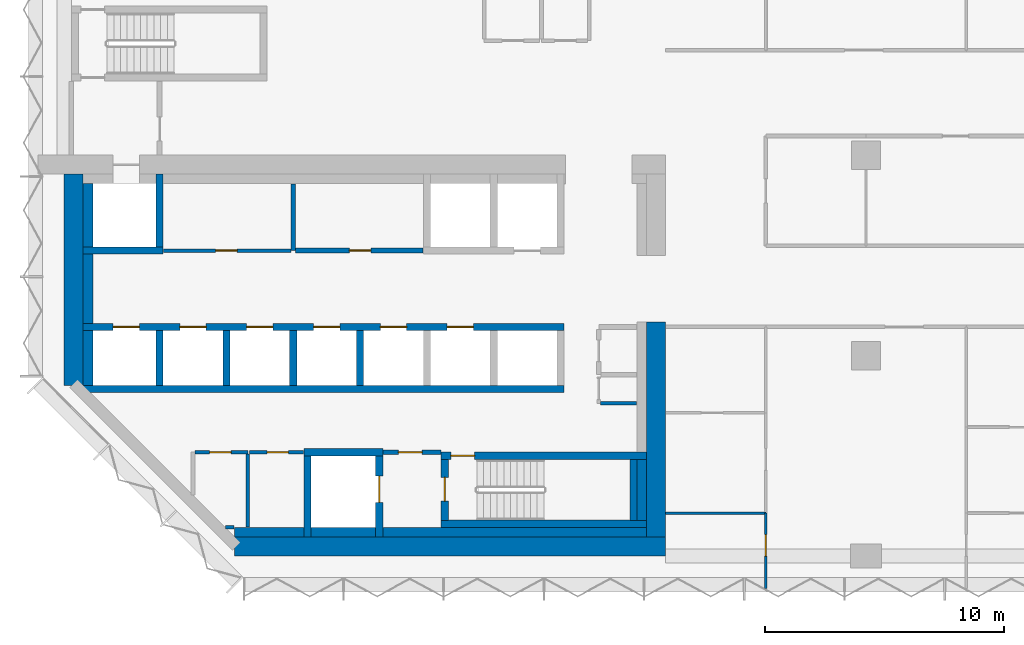
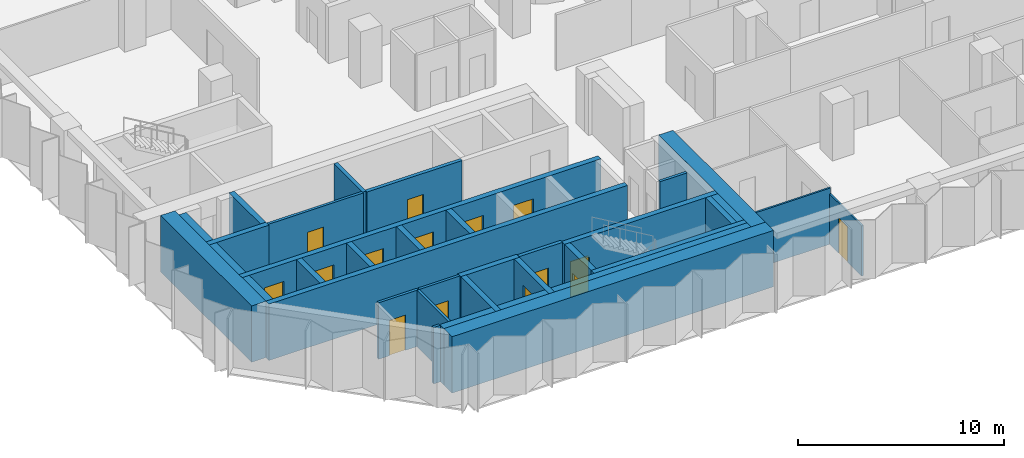
# One storey, part 7 of 13: 36 walls, 15 doors, 15 openings.
"""IFC4 building model written with IfcOpenShell, lengths in metres."""

from ifc_helpers import new_model, si_unit, direction, frame, frame_2d, origin, place, context, subcontext, project, spatial, rectangle, extrude, material, layer, layer_set, type_object, element, fill, save


model = new_model("IFC4")

# Units and contexts
model_context = context("Model", 3, precision=1e-05, world=origin(), true_north=direction((0.0, 1.0)))
body_context = subcontext(model_context, "Body", "Model", "MODEL_VIEW")
ifc_project = project(units=[si_unit("LENGTHUNIT", "METRE"), si_unit("AREAUNIT", "SQUARE_METRE"), si_unit("VOLUMEUNIT", "CUBIC_METRE"), si_unit("PLANEANGLEUNIT", "RADIAN"), si_unit("MASSUNIT", "GRAM", prefix="KILO")], contexts=[model_context])

# Site, building, storey
site_placement = place(None, origin())
site = spatial("IfcSite", under=ifc_project, at=site_placement, CompositionType="ELEMENT")
building_placement = place(site_placement, origin())
building = spatial("IfcBuilding", under=site, at=building_placement, Name="Brevane Broadcast Tower", CompositionType="ELEMENT")
storey_placement = place(building_placement, frame((0.0, 0.0, 102.5)))
storey = spatial("IfcBuildingStorey", under=building, at=storey_placement, Name="L24", CompositionType="ELEMENT", Elevation=102.5)

# Walls
ifc_material_1 = material(Name="Concrete C32/40", Category="concrete")
ifc_layer_1 = layer(ifc_material_1, 0.39990234375)
ifc_layer_set_1 = layer_set([ifc_layer_1], Name="Core chase wall 400 mm")
wall_type_1 = type_object("IfcWallType", Name="Core chase wall 400 mm", PredefinedType="PARTITIONING", material=ifc_layer_set_1)
wall_1_placement = place(storey_placement, frame((1.0, 7.14990234375, 0.0), z_axis=(0.0, 0.0, 1.0), x_axis=(0.0, 1.0, 0.0)))
element("IfcWall", 1, at=wall_1_placement, inside=storey, type_object=wall_type_1, Name="L24 chase wall LW-2-1", PredefinedType="PARTITIONING", context=body_context, shape_type="SweptSolid", body=[
    extrude(rectangle(XDim=2.300048828125, YDim=0.39990234375, at=frame_2d((1.14990234375, 0.0))), origin(), (0.0, 0.0, 1.0), 3.35009765625),
])
wall_2_placement = place(storey_placement, frame((1.0, 9.75, 0.0), z_axis=(0.0, 0.0, 1.0), x_axis=(0.0, 1.0, 0.0)))
element("IfcWall", 2, at=wall_2_placement, inside=storey, type_object=wall_type_1, Name="L24 chase wall LW-2-2-1", PredefinedType="PARTITIONING", context=body_context, shape_type="SweptSolid", body=[
    extrude(rectangle(XDim=2.89990234375, YDim=0.39990234375, at=frame_2d((1.449951171875, 0.0))), origin(), (0.0, 0.0, 1.0), 3.35009765625),
])
wall_3_placement = place(storey_placement, frame((1.0, 12.949951171875, 0.0), z_axis=(0.0, 0.0, 1.0), x_axis=(0.0, 1.0, 0.0)))
element("IfcWall", 3, at=wall_3_placement, inside=storey, type_object=wall_type_1, Name="L24 chase wall LW-2-2-2", PredefinedType="PARTITIONING", context=body_context, shape_type="SweptSolid", body=[
    extrude(rectangle(XDim=2.650146484375, YDim=0.39990234375, at=frame_2d((1.3251953125, 0.0))), origin(), (0.0, 0.0, 1.0), 3.35009765625),
])
wall_4_placement = place(storey_placement, frame((7.136474609375, 1.0, 0.0), z_axis=(0.0, 0.0, 1.0), x_axis=(1.0, 0.0, 0.0)))
element("IfcWall", 4, at=wall_4_placement, inside=storey, type_object=wall_type_1, Name="L24 chase wall LS-1", PredefinedType="PARTITIONING", context=body_context, shape_type="SweptSolid", body=[
    extrude(rectangle(XDim=2.91357421875, YDim=0.39990234375, at=frame_2d((1.456787109375, 0.0))), origin(), (0.0, 0.0, 1.0), 3.35009765625),
])
wall_5_placement = place(storey_placement, frame((10.35009765625, 1.0, 0.0), z_axis=(0.0, 0.0, 1.0), x_axis=(1.0, 0.0, 0.0)))
element("IfcWall", 5, at=wall_5_placement, inside=storey, type_object=wall_type_1, Name="L24 chase wall LS-2-1", PredefinedType="PARTITIONING", context=body_context, shape_type="SweptSolid", body=[
    extrude(rectangle(XDim=2.699951171875, YDim=0.39990234375, at=frame_2d((1.35009765625, 0.0))), origin(), (0.0, 0.0, 1.0), 3.35009765625),
])
wall_6_placement = place(storey_placement, frame((13.35009765625, 1.0, 0.0), z_axis=(0.0, 0.0, 1.0), x_axis=(1.0, 0.0, 0.0)))
element("IfcWall", 6, at=wall_6_placement, inside=storey, type_object=wall_type_1, Name="L24 chase wall LS-2-2", PredefinedType="PARTITIONING", context=body_context, shape_type="SweptSolid", body=[
    extrude(rectangle(XDim=11.0498046875, YDim=0.39990234375, at=frame_2d((5.52490234375, 0.0))), origin(), (0.0, 0.0, 1.0), 3.35009765625),
])
wall_7_placement = place(storey_placement, frame((24.199951171875, 1.5, 0.0), z_axis=(0.0, 0.0, 1.0), x_axis=(0.0, 1.0, 0.0)))
element("IfcWall", 7, at=wall_7_placement, inside=storey, type_object=wall_type_1, Name="L24 chase wall LE1-2-1", PredefinedType="PARTITIONING", context=body_context, shape_type="SweptSolid", body=[
    extrude(rectangle(XDim=2.550048828125, YDim=0.39990234375, at=frame_2d((1.27490234375, 0.0))), origin(), (0.0, 0.0, 1.0), 3.35009765625),
])

# Wall, opening, door
ifc_material_2 = material(Name="Gypsum board on steel studs", Category="steel")
ifc_layer_2 = layer(ifc_material_2, 0.14990234375)
ifc_layer_set_2 = layer_set([ifc_layer_2], Name="Core fire partition 150 mm")
wall_type_2 = type_object("IfcWallType", Name="Core fire partition 150 mm", PredefinedType="PARTITIONING", material=ifc_layer_set_2)
wall_8_placement = place(storey_placement, frame((4.162109375, 12.800048828125, 0.0), z_axis=(0.0, 0.0, 1.0), x_axis=(1.0, 0.0, 0.0)))
wall_8 = element("IfcWall", 8, at=wall_8_placement, inside=storey, type_object=wall_type_2, Name="L24 partition wall P09", PredefinedType="PARTITIONING", context=body_context, shape_type="SweptSolid", body=[
    extrude(rectangle(XDim=5.337890625, YDim=0.14990234375, at=frame_2d((2.6689453125, 0.0))), origin(), (0.0, 0.0, 1.0), 3.35009765625),
])
opening_1_placement = place(wall_8_placement, frame((2.18798828125, 0.0, 0.0)))
opening_1 = element("IfcOpeningElement", 9, at=opening_1_placement, cuts=wall_8, Name="Opening L24-K21", PredefinedType="OPENING", context=body_context, shape_type="SweptSolid", body=[
    extrude(rectangle(XDim=0.89990234375, YDim=2.10009765625, at=frame_2d((0.449951171875, 1.050048828125))), frame((0.0, 0.0849609375, 0.0), z_axis=(0.0, -1.0, 0.0), x_axis=(1.0, 0.0, 0.0)), (0.0, 0.0, 1.0), 0.169921875),
])
ifc_material_3 = material(Name="Steel", Category="steel")
door_type_1 = type_object("IfcDoorType", Name="Service room door 900 x 2100", OperationType="SINGLE_SWING_LEFT", PredefinedType="DOOR", material=ifc_material_3)
door_1_placement = place(opening_1_placement, origin())
door_1 = element("IfcDoor", 10, at=door_1_placement, inside=storey, type_object=door_type_1, Name="Door L24-K21", OperationType="SINGLE_SWING_LEFT", OverallHeight=2.10009765625, OverallWidth=0.89990234375, PredefinedType="DOOR", context=body_context, shape_type="SweptSolid", body=[
    extrude(rectangle(XDim=0.89990234375, YDim=2.10009765625, at=frame_2d((0.449951171875, 1.050048828125))), frame((0.0, 0.02490234375, 0.0), z_axis=(0.0, -1.0, 0.0), x_axis=(1.0, 0.0, 0.0)), (0.0, 0.0, 1.0), 0.050048828125),
])
fill(opening_1, door_1)

wall_9_placement = place(storey_placement, frame((5.47509765625, 4.35009765625, 0.0), z_axis=(0.0, 0.0, 1.0), x_axis=(1.0, 0.0, 0.0)))
wall_9 = element("IfcWall", 11, at=wall_9_placement, inside=storey, type_object=wall_type_2, Name="L24 partition wall P11", PredefinedType="PARTITIONING", context=body_context, shape_type="SweptSolid", body=[
    extrude(rectangle(XDim=2.224853515625, YDim=0.14990234375, at=frame_2d((1.1123046875, 0.0))), origin(), (0.0, 0.0, 1.0), 3.35009765625),
])
opening_2_placement = place(wall_9_placement, frame((0.625, 0.0, 0.0)))
opening_2 = element("IfcOpeningElement", 12, at=opening_2_placement, cuts=wall_9, Name="Opening L24-K16", PredefinedType="OPENING", context=body_context, shape_type="SweptSolid", body=[
    extrude(rectangle(XDim=0.89990234375, YDim=2.10009765625, at=frame_2d((0.449951171875, 1.050048828125))), frame((0.0, 0.0849609375, 0.0), z_axis=(0.0, -1.0, 0.0), x_axis=(1.0, 0.0, 0.0)), (0.0, 0.0, 1.0), 0.169921875),
])
ifc_material_4 = material(Name="Timber", Category="wood")
door_type_2 = type_object("IfcDoorType", Name="Toilet door 900 x 2100", OperationType="SINGLE_SWING_LEFT", PredefinedType="DOOR", material=ifc_material_4)
door_2_placement = place(opening_2_placement, origin())
door_2 = element("IfcDoor", 13, at=door_2_placement, inside=storey, type_object=door_type_2, Name="Door L24-K16", OperationType="SINGLE_SWING_RIGHT", OverallHeight=2.10009765625, OverallWidth=0.89990234375, PredefinedType="DOOR", context=body_context, shape_type="SweptSolid", body=[
    extrude(rectangle(XDim=0.89990234375, YDim=2.10009765625, at=frame_2d((0.449951171875, 1.050048828125))), frame((0.0, 0.02490234375, 0.0), z_axis=(0.0, -1.0, 0.0), x_axis=(1.0, 0.0, 0.0)), (0.0, 0.0, 1.0), 0.050048828125),
])
fill(opening_2, door_2)

# Walls
wall_10_placement = place(storey_placement, frame((7.699951171875, 4.27490234375, 0.0), z_axis=(0.0, 0.0, 1.0), x_axis=(0.0, -1.0, 0.0)))
element("IfcWall", 14, at=wall_10_placement, inside=storey, type_object=wall_type_2, Name="L24 partition wall P12", PredefinedType="PARTITIONING", context=body_context, shape_type="SweptSolid", body=[
    extrude(rectangle(XDim=3.06298828125, YDim=0.14990234375, at=frame_2d((1.531494140625, 0.0))), origin(), (0.0, 0.0, 1.0), 3.35009765625),
])
wall_11_placement = place(storey_placement, frame((7.12451171875, 1.199951171875, 0.0), z_axis=(0.0, 0.0, 1.0), x_axis=(-1.0, 0.0, 0.0)))
element("IfcWall", 15, at=wall_11_placement, inside=storey, type_object=wall_type_2, Name="L24 partition wall P13", PredefinedType="PARTITIONING", context=body_context, shape_type="SweptSolid", body=[
    extrude(rectangle(XDim=0.37109375, YDim=0.14990234375, at=frame_2d((0.185546875, 0.0))), origin(), (0.0, 0.0, 1.0), 3.35009765625),
])

# Wall, opening, door
wall_12_placement = place(storey_placement, frame((10.0380859375, 4.35009765625, 0.0), z_axis=(0.0, 0.0, 1.0), x_axis=(-1.0, 0.0, 0.0)))
wall_12 = element("IfcWall", 16, at=wall_12_placement, inside=storey, type_object=wall_type_2, Name="L24 partition wall P14", PredefinedType="PARTITIONING", context=body_context, shape_type="SweptSolid", body=[
    extrude(rectangle(XDim=2.26318359375, YDim=0.14990234375, at=frame_2d((1.131591796875, 0.0))), origin(), (0.0, 0.0, 1.0), 3.35009765625),
])
opening_3_placement = place(wall_12_placement, frame((0.637939453125, 0.0, 0.0)))
opening_3 = element("IfcOpeningElement", 17, at=opening_3_placement, cuts=wall_12, Name="Opening L24-K17", PredefinedType="OPENING", context=body_context, shape_type="SweptSolid", body=[
    extrude(rectangle(XDim=0.89990234375, YDim=2.10009765625, at=frame_2d((0.449951171875, 1.050048828125))), frame((0.0, 0.0849609375, 0.0), z_axis=(0.0, -1.0, 0.0), x_axis=(1.0, 0.0, 0.0)), (0.0, 0.0, 1.0), 0.169921875),
])
door_3_placement = place(opening_3_placement, origin())
door_3 = element("IfcDoor", 18, at=door_3_placement, inside=storey, type_object=door_type_2, Name="Door L24-K17", OperationType="SINGLE_SWING_LEFT", OverallHeight=2.10009765625, OverallWidth=0.89990234375, PredefinedType="DOOR", context=body_context, shape_type="SweptSolid", body=[
    extrude(rectangle(XDim=0.89990234375, YDim=2.10009765625, at=frame_2d((0.449951171875, 1.050048828125))), frame((0.0, 0.02490234375, 0.0), z_axis=(0.0, -1.0, 0.0), x_axis=(1.0, 0.0, 0.0)), (0.0, 0.0, 1.0), 0.050048828125),
])
fill(opening_3, door_3)

# Wall
wall_13_placement = place(storey_placement, frame((22.47509765625, 6.39990234375, 0.0), z_axis=(0.0, 0.0, 1.0), x_axis=(1.0, 0.0, 0.0)))
element("IfcWall", 19, at=wall_13_placement, inside=storey, type_object=wall_type_2, Name="L24 partition wall P23", PredefinedType="PARTITIONING", context=body_context, shape_type="SweptSolid", body=[
    extrude(rectangle(XDim=1.512939453125, YDim=0.14990234375, at=frame_2d((0.75634765625, 0.0))), origin(), (0.0, 0.0, 1.0), 3.35009765625),
])

# Wall, opening, door
ifc_layer_3 = layer(ifc_material_2, 0.199951171875)
ifc_layer_set_3 = layer_set([ifc_layer_3], Name="Core fire partition 200 mm")
wall_type_3 = type_object("IfcWallType", Name="Core fire partition 200 mm", PredefinedType="PARTITIONING", material=ifc_layer_set_3)
wall_14_placement = place(storey_placement, frame((13.362060546875, 4.35009765625, 0.0), z_axis=(0.0, 0.0, 1.0), x_axis=(1.0, 0.0, 0.0)))
wall_14 = element("IfcWall", 20, at=wall_14_placement, inside=storey, type_object=wall_type_3, Name="L24 partition wall P03", PredefinedType="PARTITIONING", context=body_context, shape_type="SweptSolid", body=[
    extrude(rectangle(XDim=2.426025390625, YDim=0.199951171875, at=frame_2d((1.212890625, 0.0))), origin(), (0.0, 0.0, 1.0), 3.35009765625),
])
opening_4_placement = place(wall_14_placement, frame((0.637939453125, 0.0, 0.0)))
opening_4 = element("IfcOpeningElement", 21, at=opening_4_placement, cuts=wall_14, Name="Opening L24-K18", PredefinedType="OPENING", context=body_context, shape_type="SweptSolid", body=[
    extrude(rectangle(XDim=1.0, YDim=2.10009765625, at=frame_2d((0.5, 1.050048828125))), frame((0.0, 0.10986328125, 0.0), z_axis=(0.0, -1.0, 0.0), x_axis=(1.0, 0.0, 0.0)), (0.0, 0.0, 1.0), 0.219970703125),
])
door_type_3 = type_object("IfcDoorType", Name="Stair door 1000 x 2100", OperationType="SINGLE_SWING_LEFT", PredefinedType="DOOR", material=ifc_material_3)
door_4_placement = place(opening_4_placement, origin())
door_4 = element("IfcDoor", 22, at=door_4_placement, inside=storey, type_object=door_type_3, Name="Door L24-K18", OperationType="SINGLE_SWING_RIGHT", OverallHeight=2.10009765625, OverallWidth=1.0, PredefinedType="DOOR", context=body_context, shape_type="SweptSolid", body=[
    extrude(rectangle(XDim=1.0, YDim=2.10009765625, at=frame_2d((0.5, 1.050048828125))), frame((0.0, 0.02490234375, 0.0), z_axis=(0.0, -1.0, 0.0), x_axis=(1.0, 0.0, 0.0)), (0.0, 0.0, 1.0), 0.050048828125),
])
fill(opening_4, door_4)

# Wall
wall_15_placement = place(storey_placement, frame((9.60009765625, 15.587890625, 0.0), z_axis=(0.0, 0.0, 1.0), x_axis=(0.0, -1.0, 0.0)))
element("IfcWall", 23, at=wall_15_placement, inside=storey, type_object=wall_type_3, Name="L24 partition wall P04", PredefinedType="PARTITIONING", context=body_context, shape_type="SweptSolid", body=[
    extrude(rectangle(XDim=2.787841796875, YDim=0.199951171875, at=frame_2d((1.39404296875, 0.0))), origin(), (0.0, 0.0, 1.0), 3.35009765625),
])

# Wall, opening, door
wall_16_placement = place(storey_placement, frame((9.699951171875, 12.800048828125, 0.0), z_axis=(0.0, 0.0, 1.0), x_axis=(1.0, 0.0, 0.0)))
wall_16 = element("IfcWall", 24, at=wall_16_placement, inside=storey, type_object=wall_type_3, Name="L24 partition wall P05", PredefinedType="PARTITIONING", context=body_context, shape_type="SweptSolid", body=[
    extrude(rectangle(XDim=5.338134765625, YDim=0.199951171875, at=frame_2d((2.6689453125, 0.0))), origin(), (0.0, 0.0, 1.0), 3.35009765625),
])
opening_5_placement = place(wall_16_placement, frame((2.25, 0.0, 0.0)))
opening_5 = element("IfcOpeningElement", 25, at=opening_5_placement, cuts=wall_16, Name="Opening L24-K22", PredefinedType="OPENING", context=body_context, shape_type="SweptSolid", body=[
    extrude(rectangle(XDim=0.89990234375, YDim=2.10009765625, at=frame_2d((0.449951171875, 1.050048828125))), frame((0.0, 0.10986328125, 0.0), z_axis=(0.0, -1.0, 0.0), x_axis=(1.0, 0.0, 0.0)), (0.0, 0.0, 1.0), 0.219970703125),
])
door_5_placement = place(opening_5_placement, origin())
door_5 = element("IfcDoor", 26, at=door_5_placement, inside=storey, type_object=door_type_1, Name="Door L24-K22", OperationType="SINGLE_SWING_RIGHT", OverallHeight=2.10009765625, OverallWidth=0.89990234375, PredefinedType="DOOR", context=body_context, shape_type="SweptSolid", body=[
    extrude(rectangle(XDim=0.89990234375, YDim=2.10009765625, at=frame_2d((0.449951171875, 1.050048828125))), frame((0.0, 0.02490234375, 0.0), z_axis=(0.0, -1.0, 0.0), x_axis=(1.0, 0.0, 0.0)), (0.0, 0.0, 1.0), 0.050048828125),
])
fill(opening_5, door_5)

# Wall
ifc_material_5 = material(Name="Concrete C60/75", Category="concrete")
ifc_layer_4 = layer(ifc_material_5, 0.300048828125)
ifc_layer_set_4 = layer_set([ifc_layer_4], Name="Core wall 300 mm C60/75")
wall_type_4 = type_object("IfcWallType", Name="Core wall 300 mm C60/75", PredefinedType="SHEAR", material=ifc_layer_set_4)
wall_17_placement = place(storey_placement, frame((0.800048828125, 7.0, 0.0), z_axis=(0.0, 0.0, 1.0), x_axis=(1.0, 0.0, 0.0)))
element("IfcWall", 27, at=wall_17_placement, inside=storey, type_object=wall_type_4, Name="L24 shaft wall SH-S012-back", PredefinedType="SHEAR", context=body_context, shape_type="SweptSolid", body=[
    extrude(rectangle(XDim=20.14990234375, YDim=0.300048828125, at=frame_2d((10.074951171875, 0.0))), origin(), (0.0, 0.0, 1.0), 3.35009765625),
])

# Wall, openings, doors
wall_18_placement = place(storey_placement, frame((0.800048828125, 9.60009765625, 0.0), z_axis=(0.0, 0.0, 1.0), x_axis=(1.0, 0.0, 0.0)))
wall_18 = element("IfcWall", 28, at=wall_18_placement, inside=storey, type_object=wall_type_4, Name="L24 shaft wall SH-S012-front", PredefinedType="SHEAR", context=body_context, shape_type="SweptSolid", body=[
    extrude(rectangle(XDim=20.14990234375, YDim=0.300048828125, at=frame_2d((10.074951171875, 0.0))), origin(), (0.0, 0.0, 1.0), 3.35009765625),
])
opening_6_placement = place(wall_18_placement, frame((1.25, 0.0, 0.0)))
opening_6 = element("IfcOpeningElement", 29, at=opening_6_placement, cuts=wall_18, Name="Opening LD", PredefinedType="OPENING", context=body_context, shape_type="SweptSolid", body=[
    extrude(rectangle(XDim=1.10009765625, YDim=2.300048828125, at=frame_2d((0.550048828125, 1.14990234375))), frame((0.0, 0.159912109375, 0.0), z_axis=(0.0, -1.0, 0.0), x_axis=(1.0, 0.0, 0.0)), (0.0, 0.0, 1.0), 0.320068359375),
])
opening_7_placement = place(wall_18_placement, frame((4.050048828125, 0.0, 0.0)))
opening_7 = element("IfcOpeningElement", 30, at=opening_7_placement, cuts=wall_18, Name="Opening LD", PredefinedType="OPENING", context=body_context, shape_type="SweptSolid", body=[
    extrude(rectangle(XDim=1.10009765625, YDim=2.300048828125, at=frame_2d((0.550048828125, 1.14990234375))), frame((0.0, 0.159912109375, 0.0), z_axis=(0.0, -1.0, 0.0), x_axis=(1.0, 0.0, 0.0)), (0.0, 0.0, 1.0), 0.320068359375),
])
opening_8_placement = place(wall_18_placement, frame((6.85009765625, 0.0, 0.0)))
opening_8 = element("IfcOpeningElement", 31, at=opening_8_placement, cuts=wall_18, Name="Opening LD", PredefinedType="OPENING", context=body_context, shape_type="SweptSolid", body=[
    extrude(rectangle(XDim=1.10009765625, YDim=2.300048828125, at=frame_2d((0.550048828125, 1.14990234375))), frame((0.0, 0.159912109375, 0.0), z_axis=(0.0, -1.0, 0.0), x_axis=(1.0, 0.0, 0.0)), (0.0, 0.0, 1.0), 0.320068359375),
])
opening_9_placement = place(wall_18_placement, frame((9.64990234375, 0.0, 0.0)))
opening_9 = element("IfcOpeningElement", 32, at=opening_9_placement, cuts=wall_18, Name="Opening LD", PredefinedType="OPENING", context=body_context, shape_type="SweptSolid", body=[
    extrude(rectangle(XDim=1.10009765625, YDim=2.300048828125, at=frame_2d((0.550048828125, 1.14990234375))), frame((0.0, 0.159912109375, 0.0), z_axis=(0.0, -1.0, 0.0), x_axis=(1.0, 0.0, 0.0)), (0.0, 0.0, 1.0), 0.320068359375),
])
opening_10_placement = place(wall_18_placement, frame((12.449951171875, 0.0, 0.0)))
opening_10 = element("IfcOpeningElement", 33, at=opening_10_placement, cuts=wall_18, Name="Opening LD", PredefinedType="OPENING", context=body_context, shape_type="SweptSolid", body=[
    extrude(rectangle(XDim=1.10009765625, YDim=2.300048828125, at=frame_2d((0.550048828125, 1.14990234375))), frame((0.0, 0.159912109375, 0.0), z_axis=(0.0, -1.0, 0.0), x_axis=(1.0, 0.0, 0.0)), (0.0, 0.0, 1.0), 0.320068359375),
])
opening_11_placement = place(wall_18_placement, frame((15.25, 0.0, 0.0)))
opening_11 = element("IfcOpeningElement", 34, at=opening_11_placement, cuts=wall_18, Name="Opening LD", PredefinedType="OPENING", context=body_context, shape_type="SweptSolid", body=[
    extrude(rectangle(XDim=1.10009765625, YDim=2.300048828125, at=frame_2d((0.550048828125, 1.14990234375))), frame((0.0, 0.159912109375, 0.0), z_axis=(0.0, -1.0, 0.0), x_axis=(1.0, 0.0, 0.0)), (0.0, 0.0, 1.0), 0.320068359375),
])
ifc_material_6 = material(Name="Stainless steel", Category="steel")
door_type_4 = type_object("IfcDoorType", Name="Lift landing door", OperationType="SLIDING_TO_LEFT", PredefinedType="DOOR", material=ifc_material_6)
door_6_placement = place(opening_6_placement, origin())
door_6 = element("IfcDoor", 35, at=door_6_placement, inside=storey, type_object=door_type_4, Name="Landing door LR1 L24", OperationType="SLIDING_TO_LEFT", OverallHeight=2.300048828125, OverallWidth=1.10009765625, PredefinedType="DOOR", context=body_context, shape_type="SweptSolid", body=[
    extrude(rectangle(XDim=1.10009765625, YDim=2.300048828125, at=frame_2d((0.550048828125, 1.14990234375))), frame((0.0, 0.02490234375, 0.0), z_axis=(0.0, -1.0, 0.0), x_axis=(1.0, 0.0, 0.0)), (0.0, 0.0, 1.0), 0.050048828125),
])
fill(opening_6, door_6)
door_7_placement = place(opening_7_placement, origin())
door_7 = element("IfcDoor", 36, at=door_7_placement, inside=storey, type_object=door_type_4, Name="Landing door LR2 L24", OperationType="SLIDING_TO_LEFT", OverallHeight=2.300048828125, OverallWidth=1.10009765625, PredefinedType="DOOR", context=body_context, shape_type="SweptSolid", body=[
    extrude(rectangle(XDim=1.10009765625, YDim=2.300048828125, at=frame_2d((0.550048828125, 1.14990234375))), frame((0.0, 0.02490234375, 0.0), z_axis=(0.0, -1.0, 0.0), x_axis=(1.0, 0.0, 0.0)), (0.0, 0.0, 1.0), 0.050048828125),
])
fill(opening_7, door_7)
door_8_placement = place(opening_8_placement, origin())
door_8 = element("IfcDoor", 37, at=door_8_placement, inside=storey, type_object=door_type_4, Name="Landing door LR3 L24", OperationType="SLIDING_TO_LEFT", OverallHeight=2.300048828125, OverallWidth=1.10009765625, PredefinedType="DOOR", context=body_context, shape_type="SweptSolid", body=[
    extrude(rectangle(XDim=1.10009765625, YDim=2.300048828125, at=frame_2d((0.550048828125, 1.14990234375))), frame((0.0, 0.02490234375, 0.0), z_axis=(0.0, -1.0, 0.0), x_axis=(1.0, 0.0, 0.0)), (0.0, 0.0, 1.0), 0.050048828125),
])
fill(opening_8, door_8)
door_9_placement = place(opening_9_placement, origin())
door_9 = element("IfcDoor", 38, at=door_9_placement, inside=storey, type_object=door_type_4, Name="Landing door LR4 L24", OperationType="SLIDING_TO_LEFT", OverallHeight=2.300048828125, OverallWidth=1.10009765625, PredefinedType="DOOR", context=body_context, shape_type="SweptSolid", body=[
    extrude(rectangle(XDim=1.10009765625, YDim=2.300048828125, at=frame_2d((0.550048828125, 1.14990234375))), frame((0.0, 0.02490234375, 0.0), z_axis=(0.0, -1.0, 0.0), x_axis=(1.0, 0.0, 0.0)), (0.0, 0.0, 1.0), 0.050048828125),
])
fill(opening_9, door_9)
door_10_placement = place(opening_10_placement, origin())
door_10 = element("IfcDoor", 39, at=door_10_placement, inside=storey, type_object=door_type_4, Name="Landing door LR5 L24", OperationType="SLIDING_TO_LEFT", OverallHeight=2.300048828125, OverallWidth=1.10009765625, PredefinedType="DOOR", context=body_context, shape_type="SweptSolid", body=[
    extrude(rectangle(XDim=1.10009765625, YDim=2.300048828125, at=frame_2d((0.550048828125, 1.14990234375))), frame((0.0, 0.02490234375, 0.0), z_axis=(0.0, -1.0, 0.0), x_axis=(1.0, 0.0, 0.0)), (0.0, 0.0, 1.0), 0.050048828125),
])
fill(opening_10, door_10)
door_11_placement = place(opening_11_placement, origin())
door_11 = element("IfcDoor", 40, at=door_11_placement, inside=storey, type_object=door_type_4, Name="Landing door LR6 L24", OperationType="SLIDING_TO_LEFT", OverallHeight=2.300048828125, OverallWidth=1.10009765625, PredefinedType="DOOR", context=body_context, shape_type="SweptSolid", body=[
    extrude(rectangle(XDim=1.10009765625, YDim=2.300048828125, at=frame_2d((0.550048828125, 1.14990234375))), frame((0.0, 0.02490234375, 0.0), z_axis=(0.0, -1.0, 0.0), x_axis=(1.0, 0.0, 0.0)), (0.0, 0.0, 1.0), 0.050048828125),
])
fill(opening_11, door_11)

# Walls
for number, where, z_axis, x_axis, name in (
    (41, (4.0, 7.14990234375, 0.0), (0.0, 0.0, 1.0), (0.0, 1.0, 0.0), "L24 shaft wall SH-S-P040"),
    (42, (6.800048828125, 7.14990234375, 0.0), (0.0, 0.0, 1.0), (0.0, 1.0, 0.0), "L24 shaft wall SH-S-P068"),
    (43, (9.60009765625, 7.14990234375, 0.0), (0.0, 0.0, 1.0), (0.0, 1.0, 0.0), "L24 shaft wall SH-S-P096"),
    (44, (12.39990234375, 7.14990234375, 0.0), (0.0, 0.0, 1.0), (0.0, 1.0, 0.0), "L24 shaft wall SH-S-P124"),
):
    element("IfcWall", number, at=place(storey_placement, frame(where, z_axis=z_axis, x_axis=x_axis)), inside=storey, type_object=wall_type_4, Name=name, PredefinedType="SHEAR", context=body_context, shape_type="SweptSolid", body=[
        extrude(rectangle(XDim=2.300048828125, YDim=0.300048828125, at=frame_2d((1.14990234375, 0.0))), origin(), (0.0, 0.0, 1.0), 3.35009765625),
    ])
wall_19_placement = place(storey_placement, frame((0.800048828125, 12.800048828125, 0.0), z_axis=(0.0, 0.0, 1.0), x_axis=(1.0, 0.0, 0.0)))
element("IfcWall", 45, at=wall_19_placement, inside=storey, type_object=wall_type_4, Name="L24 shaft wall SH-N012-front", PredefinedType="SHEAR", context=body_context, shape_type="SweptSolid", body=[
    extrude(rectangle(XDim=3.349853515625, YDim=0.300048828125, at=frame_2d((1.6748046875, 0.0))), origin(), (0.0, 0.0, 1.0), 3.35009765625),
])
wall_20_placement = place(storey_placement, frame((4.0, 12.949951171875, 0.0), z_axis=(0.0, 0.0, 1.0), x_axis=(0.0, 1.0, 0.0)))
element("IfcWall", 46, at=wall_20_placement, inside=storey, type_object=wall_type_4, Name="L24 shaft wall SH-N-P040", PredefinedType="SHEAR", context=body_context, shape_type="SweptSolid", body=[
    extrude(rectangle(XDim=3.050048828125, YDim=0.300048828125, at=frame_2d((1.52490234375, 0.0))), origin(), (0.0, 0.0, 1.0), 3.35009765625),
])
wall_21_placement = place(storey_placement, frame((10.199951171875, 0.800048828125, 0.0), z_axis=(0.0, 0.0, 1.0), x_axis=(0.0, 1.0, 0.0)))
element("IfcWall", 47, at=wall_21_placement, inside=storey, type_object=wall_type_4, Name="L24 shaft wall FF2-W", PredefinedType="SHEAR", context=body_context, shape_type="SweptSolid", body=[
    extrude(rectangle(XDim=3.39990234375, YDim=0.300048828125, at=frame_2d((1.699951171875, 0.0))), origin(), (0.0, 0.0, 1.0), 3.35009765625),
])

# Wall, opening, door
wall_22_placement = place(storey_placement, frame((13.199951171875, 0.800048828125, 0.0), z_axis=(0.0, 0.0, 1.0), x_axis=(0.0, 1.0, 0.0)))
wall_22 = element("IfcWall", 48, at=wall_22_placement, inside=storey, type_object=wall_type_4, Name="L24 shaft wall FF2-E", PredefinedType="SHEAR", context=body_context, shape_type="SweptSolid", body=[
    extrude(rectangle(XDim=3.39990234375, YDim=0.300048828125, at=frame_2d((1.699951171875, 0.0))), origin(), (0.0, 0.0, 1.0), 3.35009765625),
])
opening_12_placement = place(wall_22_placement, frame((1.449951171875, 0.0, 0.0)))
opening_12 = element("IfcOpeningElement", 49, at=opening_12_placement, cuts=wall_22, Name="Opening LD", PredefinedType="OPENING", context=body_context, shape_type="SweptSolid", body=[
    extrude(rectangle(XDim=1.10009765625, YDim=2.300048828125, at=frame_2d((0.550048828125, 1.14990234375))), frame((0.0, 0.159912109375, 0.0), z_axis=(0.0, -1.0, 0.0), x_axis=(1.0, 0.0, 0.0)), (0.0, 0.0, 1.0), 0.320068359375),
])
door_12_placement = place(opening_12_placement, origin())
door_12 = element("IfcDoor", 50, at=door_12_placement, inside=storey, type_object=door_type_4, Name="Landing door FF2 L24", OperationType="SLIDING_TO_LEFT", OverallHeight=2.300048828125, OverallWidth=1.10009765625, PredefinedType="DOOR", context=body_context, shape_type="SweptSolid", body=[
    extrude(rectangle(XDim=1.10009765625, YDim=2.300048828125, at=frame_2d((0.550048828125, 1.14990234375))), frame((0.0, 0.02490234375, 0.0), z_axis=(0.0, -1.0, 0.0), x_axis=(1.0, 0.0, 0.0)), (0.0, 0.0, 1.0), 0.050048828125),
])
fill(opening_12, door_12)

# Walls
wall_23_placement = place(storey_placement, frame((10.050048828125, 4.35009765625, 0.0), z_axis=(0.0, 0.0, 1.0), x_axis=(1.0, 0.0, 0.0)))
element("IfcWall", 51, at=wall_23_placement, inside=storey, type_object=wall_type_4, Name="L24 shaft wall FF2-N", PredefinedType="SHEAR", context=body_context, shape_type="SweptSolid", body=[
    extrude(rectangle(XDim=3.300048828125, YDim=0.300048828125, at=frame_2d((1.64990234375, 0.0))), origin(), (0.0, 0.0, 1.0), 3.35009765625),
])
wall_24_placement = place(storey_placement, frame((15.800048828125, 1.35009765625, 0.0), z_axis=(0.0, 0.0, 1.0), x_axis=(1.0, 0.0, 0.0)))
element("IfcWall", 52, at=wall_24_placement, inside=storey, type_object=wall_type_4, Name="L24 stair wall ST-2-S", PredefinedType="SHEAR", context=body_context, shape_type="SweptSolid", body=[
    extrude(rectangle(XDim=8.599853515625, YDim=0.300048828125, at=frame_2d((4.2998046875, 0.0))), origin(), (0.0, 0.0, 1.0), 3.35009765625),
])

# Wall, opening, door
wall_25_placement = place(storey_placement, frame((15.800048828125, 4.199951171875, 0.0), z_axis=(0.0, 0.0, 1.0), x_axis=(1.0, 0.0, 0.0)))
wall_25 = element("IfcWall", 53, at=wall_25_placement, inside=storey, type_object=wall_type_4, Name="L24 stair wall ST-2-N", PredefinedType="SHEAR", context=body_context, shape_type="SweptSolid", body=[
    extrude(rectangle(XDim=8.599853515625, YDim=0.300048828125, at=frame_2d((4.2998046875, 0.0))), origin(), (0.0, 0.0, 1.0), 3.35009765625),
])
opening_13_placement = place(wall_25_placement, frame((0.39990234375, 0.0, 0.0)))
opening_13 = element("IfcOpeningElement", 54, at=opening_13_placement, cuts=wall_25, Name="Opening L24-K13", PredefinedType="OPENING", context=body_context, shape_type="SweptSolid", body=[
    extrude(rectangle(XDim=1.0, YDim=2.10009765625, at=frame_2d((0.5, 1.050048828125))), frame((0.0, 0.159912109375, 0.0), z_axis=(0.0, -1.0, 0.0), x_axis=(1.0, 0.0, 0.0)), (0.0, 0.0, 1.0), 0.320068359375),
])
door_13_placement = place(opening_13_placement, origin())
door_13 = element("IfcDoor", 55, at=door_13_placement, inside=storey, type_object=door_type_3, Name="Door L24-K13", OperationType="SINGLE_SWING_LEFT", OverallHeight=2.10009765625, OverallWidth=1.0, PredefinedType="DOOR", context=body_context, shape_type="SweptSolid", body=[
    extrude(rectangle(XDim=1.0, YDim=2.10009765625, at=frame_2d((0.5, 1.050048828125))), frame((0.0, 0.02490234375, 0.0), z_axis=(0.0, -1.0, 0.0), x_axis=(1.0, 0.0, 0.0)), (0.0, 0.0, 1.0), 0.050048828125),
])
fill(opening_13, door_13)

wall_26_placement = place(storey_placement, frame((15.949951171875, 1.5, 0.0), z_axis=(0.0, 0.0, 1.0), x_axis=(0.0, 1.0, 0.0)))
wall_26 = element("IfcWall", 56, at=wall_26_placement, inside=storey, type_object=wall_type_4, Name="L24 stair wall ST-2-W", PredefinedType="SHEAR", context=body_context, shape_type="SweptSolid", body=[
    extrude(rectangle(XDim=2.550048828125, YDim=0.300048828125, at=frame_2d((1.27490234375, 0.0))), origin(), (0.0, 0.0, 1.0), 3.35009765625),
])
opening_14_placement = place(wall_26_placement, frame((0.800048828125, 0.0, 0.0)))
opening_14 = element("IfcOpeningElement", 57, at=opening_14_placement, cuts=wall_26, Name="Opening L24-K12", PredefinedType="OPENING", context=body_context, shape_type="SweptSolid", body=[
    extrude(rectangle(XDim=1.0, YDim=2.10009765625, at=frame_2d((0.5, 1.050048828125))), frame((0.0, 0.159912109375, 0.0), z_axis=(0.0, -1.0, 0.0), x_axis=(1.0, 0.0, 0.0)), (0.0, 0.0, 1.0), 0.320068359375),
])
door_14_placement = place(opening_14_placement, origin())
door_14 = element("IfcDoor", 58, at=door_14_placement, inside=storey, type_object=door_type_3, Name="Door L24-K12", OperationType="SINGLE_SWING_RIGHT", OverallHeight=2.10009765625, OverallWidth=1.0, PredefinedType="DOOR", context=body_context, shape_type="SweptSolid", body=[
    extrude(rectangle(XDim=1.0, YDim=2.10009765625, at=frame_2d((0.5, 1.050048828125))), frame((0.0, 0.02490234375, 0.0), z_axis=(0.0, -1.0, 0.0), x_axis=(1.0, 0.0, 0.0)), (0.0, 0.0, 1.0), 0.050048828125),
])
fill(opening_14, door_14)

# Walls
wall_27_placement = place(storey_placement, frame((23.85009765625, 1.5, 0.0), z_axis=(0.0, 0.0, 1.0), x_axis=(0.0, 1.0, 0.0)))
element("IfcWall", 59, at=wall_27_placement, inside=storey, type_object=wall_type_4, Name="L24 stair wall ST-2-E", PredefinedType="SHEAR", context=body_context, shape_type="SweptSolid", body=[
    extrude(rectangle(XDim=2.550048828125, YDim=0.300048828125, at=frame_2d((1.27490234375, 0.0))), origin(), (0.0, 0.0, 1.0), 3.35009765625),
])
ifc_layer_5 = layer(ifc_material_5, 0.800048828125)
ifc_layer_set_5 = layer_set([ifc_layer_5], Name="Core wall 800 mm C60/75")
wall_type_5 = type_object("IfcWallType", Name="Core wall 800 mm C60/75", PredefinedType="SHEAR", material=ifc_layer_set_5)
wall_28_placement = place(storey_placement, frame((7.136474609375, 0.39990234375, 0.0), z_axis=(0.0, 0.0, 1.0), x_axis=(1.0, 0.0, 0.0)))
element("IfcWall", 60, at=wall_28_placement, inside=storey, type_object=wall_type_5, Name="L24 outer wall WS", PredefinedType="SHEAR", context=body_context, shape_type="SweptSolid", body=[
    extrude(rectangle(XDim=18.0634765625, YDim=0.800048828125, at=frame_2d((9.03173828125, 0.0))), origin(), (0.0, 0.0, 1.0), 3.35009765625),
])
wall_29_placement = place(storey_placement, frame((0.39990234375, 7.136474609375, 0.0), z_axis=(0.0, 0.0, 1.0), x_axis=(0.0, 1.0, 0.0)))
element("IfcWall", 61, at=wall_29_placement, inside=storey, type_object=wall_type_5, Name="L24 outer wall WW", PredefinedType="SHEAR", context=body_context, shape_type="SweptSolid", body=[
    extrude(rectangle(XDim=8.863525390625, YDim=0.800048828125, at=frame_2d((4.431640625, 0.0))), origin(), (0.0, 0.0, 1.0), 3.35009765625),
])
wall_30_placement = place(storey_placement, frame((24.800048828125, 0.800048828125, 0.0), z_axis=(0.0, 0.0, 1.0), x_axis=(0.0, 1.0, 0.0)))
element("IfcWall", 62, at=wall_30_placement, inside=storey, type_object=wall_type_5, Name="L24 outer wall WE1", PredefinedType="SHEAR", context=body_context, shape_type="SweptSolid", body=[
    extrude(rectangle(XDim=9.0, YDim=0.800048828125, at=frame_2d((4.5, 0.0))), origin(), (0.0, 0.0, 1.0), 3.35009765625),
])

# Wall, opening, door
ifc_material_7 = material(Name="Gypsum board partition")
ifc_layer_6 = layer(ifc_material_7, 0.10009765625)
ifc_layer_set_6 = layer_set([ifc_layer_6], Name="PARTITION 100 STUD")
wall_type_6 = type_object("IfcWallType", Name="PARTITION 100 STUD", PredefinedType="PARTITIONING", material=ifc_layer_set_6)
wall_31_placement = place(storey_placement, frame((29.39990234375, -1.364990234375, 0.0), z_axis=(0.0, 0.0, 1.0), x_axis=(0.0, 1.0, 0.0)))
wall_31 = element("IfcWall", 63, at=wall_31_placement, inside=storey, type_object=wall_type_6, Name="Partition G07-031", PredefinedType="PARTITIONING", context=body_context, shape_type="SweptSolid", body=[
    extrude(rectangle(XDim=3.1650390625, YDim=0.10009765625, at=frame_2d((1.58251953125, 0.0))), origin(), (0.0, 0.0, 1.0), 2.97998046875),
])
opening_15_placement = place(wall_31_placement, frame((1.364990234375, 0.0, 0.0)))
opening_15 = element("IfcOpeningElement", 64, at=opening_15_placement, cuts=wall_31, Name="Opening D14-010", PredefinedType="OPENING", context=body_context, shape_type="SweptSolid", body=[
    extrude(rectangle(XDim=0.89990234375, YDim=2.10009765625, at=frame_2d((0.449951171875, 1.050048828125))), frame((0.0, 0.06005859375, 0.0), z_axis=(0.0, -1.0, 0.0), x_axis=(1.0, 0.0, 0.0)), (0.0, 0.0, 1.0), 0.1201171875),
])
ifc_material_8 = material(Name="Timber door leaf", Category="wood")
door_type_5 = type_object("IfcDoorType", Name="DOOR SINGLE 900 INTERNAL", OperationType="SINGLE_SWING_LEFT", PredefinedType="DOOR", material=ifc_material_8)
door_15_placement = place(opening_15_placement, origin())
door_15 = element("IfcDoor", 65, at=door_15_placement, inside=storey, type_object=door_type_5, Name="Door D14-010", OperationType="SINGLE_SWING_LEFT", OverallHeight=2.10009765625, OverallWidth=0.89990234375, PredefinedType="DOOR", context=body_context, shape_type="SweptSolid", body=[
    extrude(rectangle(XDim=0.89990234375, YDim=2.10009765625, at=frame_2d((0.449951171875, 1.050048828125))), frame((0.0, 0.02490234375, 0.0), z_axis=(0.0, -1.0, 0.0), x_axis=(1.0, 0.0, 0.0)), (0.0, 0.0, 1.0), 0.050048828125),
])
fill(opening_15, door_15)

# Wall
wall_32_placement = place(storey_placement, frame((25.199951171875, 1.800048828125, 0.0), z_axis=(0.0, 0.0, 1.0), x_axis=(1.0, 0.0, 0.0)))
element("IfcWall", 66, at=wall_32_placement, inside=storey, type_object=wall_type_6, Name="Partition G07-041", PredefinedType="PARTITIONING", context=body_context, shape_type="SweptSolid", body=[
    extrude(rectangle(XDim=4.199951171875, YDim=0.10009765625, at=frame_2d((2.10009765625, 0.0))), origin(), (0.0, 0.0, 1.0), 3.330078125),
])

save(model, "model.ifc")
